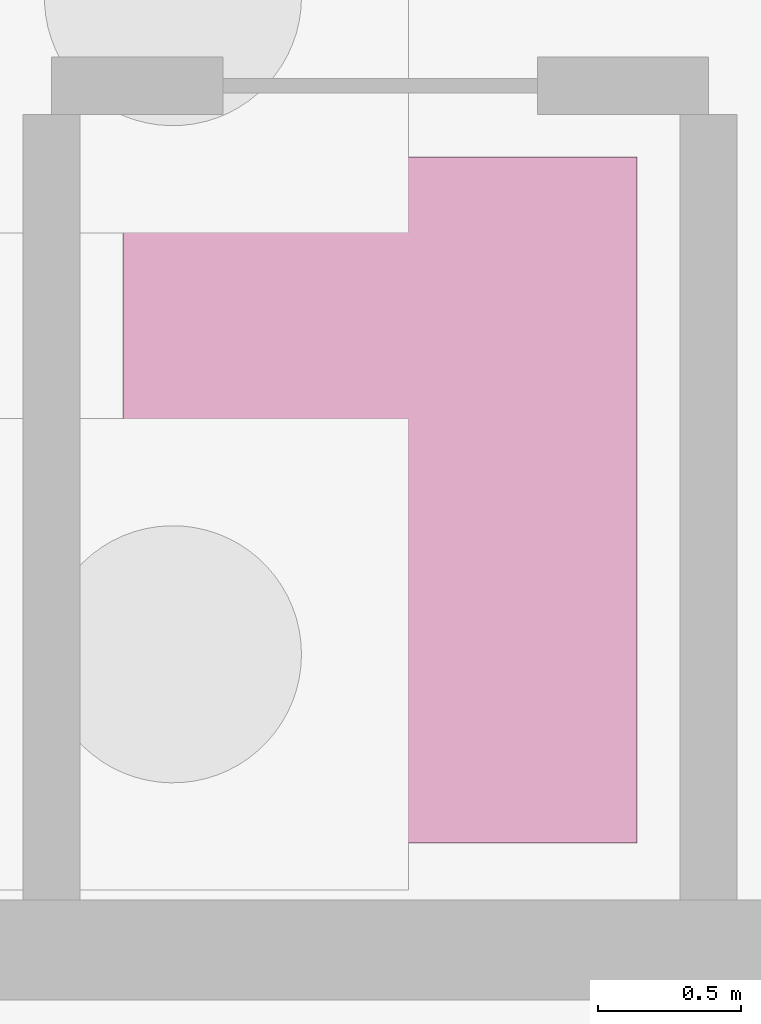
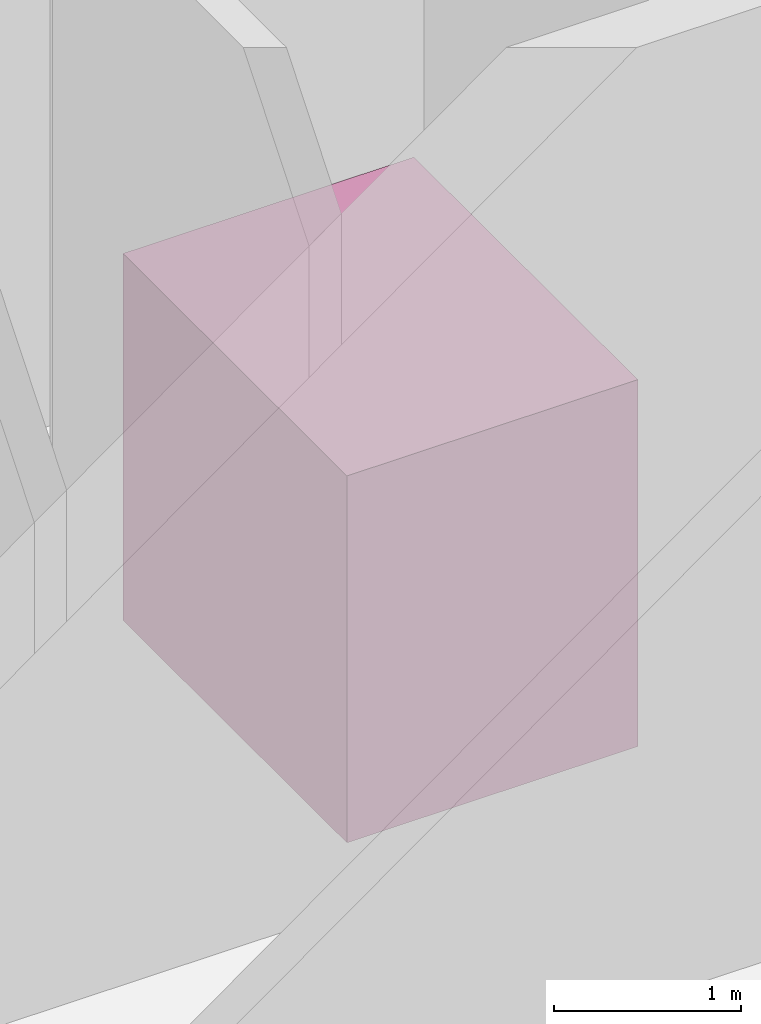
# One storey, part 16 of 16: 1 transport element.
"""IFC4 building model written with IfcOpenShell, lengths in metres."""

from ifc_helpers import new_model, si_unit, direction, frame, origin, origin_2d, place, context, subcontext, project, spatial, rectangle, extrude, material, type_object, element, save


model = new_model("IFC4")

# Units and contexts
model_context = context("Model", 3, precision=1e-05, world=origin(), true_north=direction((0.0, 1.0)))
body_context = subcontext(model_context, "Body", "Model", "MODEL_VIEW")
ifc_project = project(units=[si_unit("LENGTHUNIT", "METRE"), si_unit("AREAUNIT", "SQUARE_METRE"), si_unit("VOLUMEUNIT", "CUBIC_METRE"), si_unit("PLANEANGLEUNIT", "RADIAN"), si_unit("MASSUNIT", "GRAM", prefix="KILO")], contexts=[model_context])

# Site, building, storey
site_placement = place(None, origin())
site = spatial("IfcSite", under=ifc_project, at=site_placement, CompositionType="ELEMENT")
building_placement = place(site_placement, origin())
building = spatial("IfcBuilding", under=site, at=building_placement, Name="Kranzveld Transit Interchange", CompositionType="ELEMENT")
storey_placement = place(building_placement, frame((0.0, 0.0, -5.43994140625)))
storey = spatial("IfcBuildingStorey", under=building, at=storey_placement, Name="B1", CompositionType="ELEMENT", Elevation=-5.43994140625)

# Transport element
ifc_material = material(Name="Steel S355JR", Category="steel")
transport_element_type = type_object("IfcTransportElementType", Name="Bus Mezzanine Lift 1800x2400 1800kg", PredefinedType="ELEVATOR", material=ifc_material)
transport_element_placement = place(storey_placement, frame((73.14990234375, 35.215087890625, 0.0), z_axis=(0.0, 0.0, 1.0), x_axis=(1.0, 0.0, 0.0)))
element("IfcTransportElement", 1, at=transport_element_placement, inside=storey, type_object=transport_element_type, Name="Passenger Lift LF-B1", PredefinedType="ELEVATOR", context=body_context, shape_type="SweptSolid", body=[
    extrude(rectangle(XDim=1.800048828125, YDim=2.39990234375, at=origin_2d()), origin(), (0.0, 0.0, 1.0), 2.39990234375),
])

save(model, "model.ifc")
